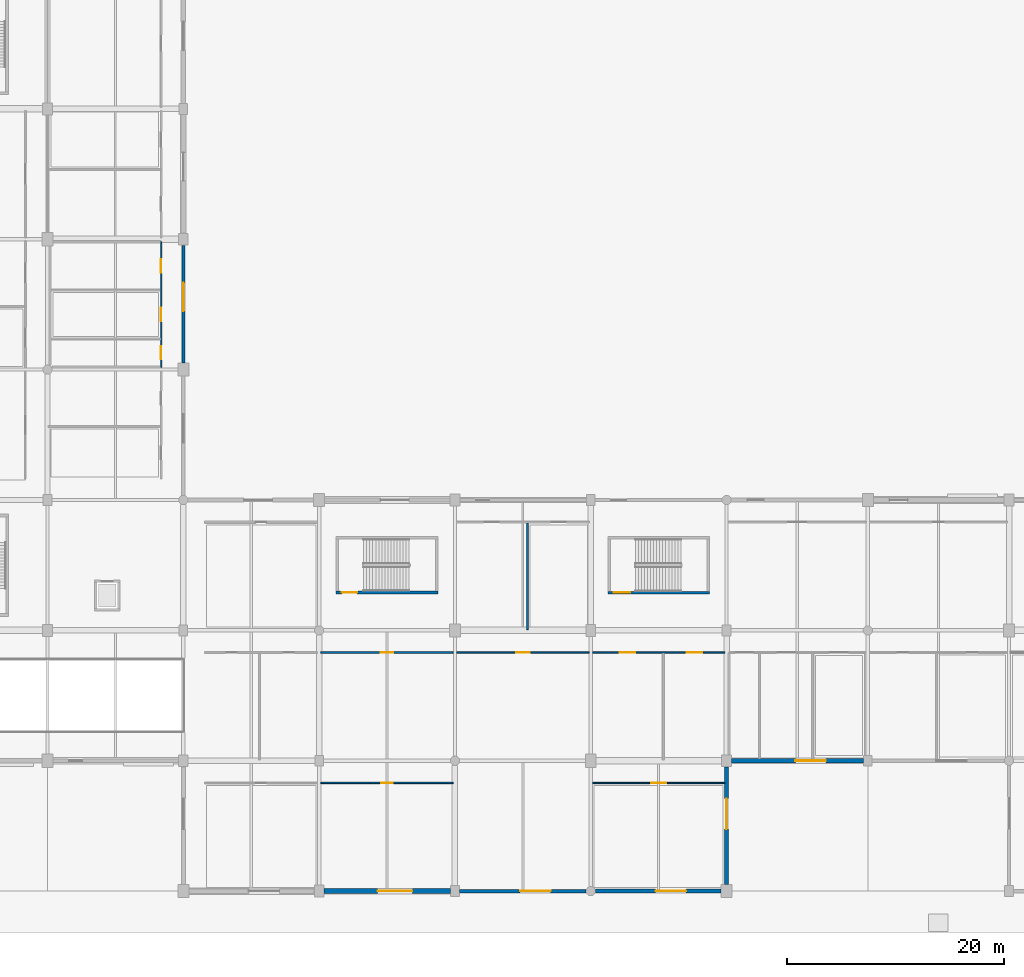
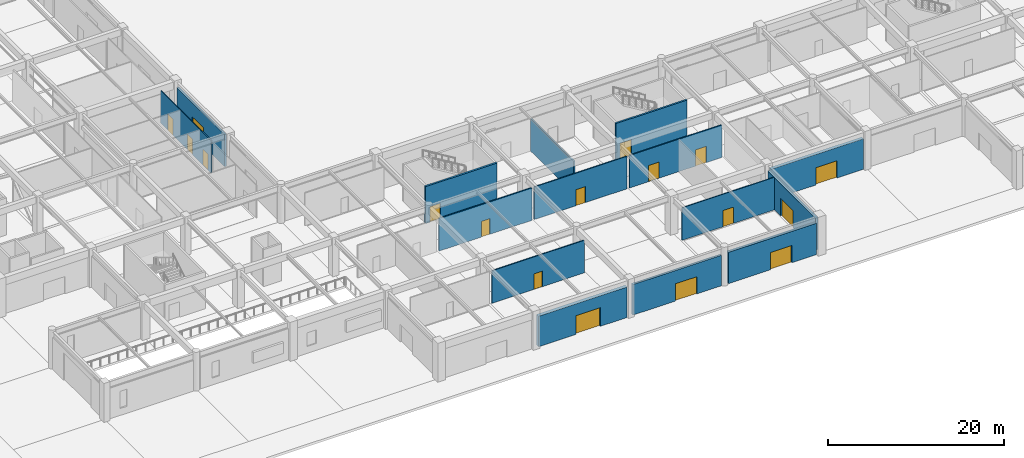
# One storey, part 16 of 69: 17 doors, 15 walls, 17 openings.
"""IFC4 building model written with IfcOpenShell, lengths in metres."""

from ifc_helpers import new_model, si_unit, direction, frame, frame_2d, origin, place, context, subcontext, project, spatial, rectangle, extrude, material, layer, layer_set, type_object, element, fill, save


model = new_model("IFC4")

# Units and contexts
model_context = context("Model", 3, precision=1e-05, world=origin(), true_north=direction((0.0, 1.0)))
body_context = subcontext(model_context, "Body", "Model", "MODEL_VIEW")
ifc_project = project(units=[si_unit("LENGTHUNIT", "METRE"), si_unit("AREAUNIT", "SQUARE_METRE"), si_unit("VOLUMEUNIT", "CUBIC_METRE"), si_unit("PLANEANGLEUNIT", "RADIAN"), si_unit("MASSUNIT", "GRAM", prefix="KILO")], contexts=[model_context])

# Site, building, storey
site_placement = place(None, origin())
site = spatial("IfcSite", under=ifc_project, at=site_placement, CompositionType="ELEMENT")
building_placement = place(site_placement, origin())
building = spatial("IfcBuilding", under=site, at=building_placement, Name="Kazenohara Klinker Stadium", CompositionType="ELEMENT")
storey_placement = place(building_placement, origin())
storey = spatial("IfcBuildingStorey", under=building, at=storey_placement, Name="L00", CompositionType="ELEMENT", Elevation=0.0)

# Wall, opening, door
ifc_material_1 = material(Name="Concrete C40/50", Category="concrete")
ifc_layer_1 = layer(ifc_material_1, 0.22998046875)
ifc_layer_set_1 = layer_set([ifc_layer_1], Name="Concrete C40/50")
wall_type_1 = type_object("IfcWallType", Name="WAL-CORE-230", PredefinedType="SHEAR", material=ifc_layer_set_1)
wall_1_placement = place(storey_placement, frame((88.070068359375, 27.485107421875, 0.0), z_axis=(0.0, 0.0, 1.0), x_axis=(1.0, 0.0, 0.0)))
wall_1 = element("IfcWall", 1, at=wall_1_placement, inside=storey, type_object=wall_type_1, Name="Stairwell shear wall ST26 L00 South", PredefinedType="SHEAR", context=body_context, shape_type="SweptSolid", body=[
    extrude(rectangle(XDim=9.35986328125, YDim=0.22998046875, at=frame_2d((4.679931640625, 0.0))), origin(), (0.0, 0.0, 1.0), 5.139892578125),
])
opening_1_placement = place(wall_1_placement, frame((0.550048828125, 0.0, 0.0)))
opening_1 = element("IfcOpeningElement", 2, at=opening_1_placement, cuts=wall_1, Name="Opening SD02", PredefinedType="OPENING", context=body_context, shape_type="SweptSolid", body=[
    extrude(rectangle(XDim=1.5, YDim=2.199951171875, at=frame_2d((0.75, 1.10009765625))), frame((0.0, 0.125, 0.0), z_axis=(0.0, -1.0, 0.0), x_axis=(1.0, 0.0, 0.0)), (0.0, 0.0, 1.0), 0.25),
])
ifc_material_2 = material(Name="Flush painted steel fire door leaf", Category="steel")
door_type_1 = type_object("IfcDoorType", Name="DR-STR-1500x2200", OperationType="NOTDEFINED", PredefinedType="DOOR", material=ifc_material_2)
door_1_placement = place(opening_1_placement, origin())
door_1 = element("IfcDoor", 3, at=door_1_placement, inside=storey, type_object=door_type_1, Name="Escape stairwell fire door ST26-L00", OperationType="SINGLE_SWING_LEFT", OverallHeight=2.199951171875, OverallWidth=1.5, PredefinedType="DOOR", context=body_context, shape_type="SweptSolid", body=[
    extrude(rectangle(XDim=1.5, YDim=2.199951171875, at=frame_2d((0.75, 1.10009765625))), frame((0.0, 0.02490234375, 0.0), z_axis=(0.0, -1.0, 0.0), x_axis=(1.0, 0.0, 0.0)), (0.0, 0.0, 1.0), 0.050048828125),
])
fill(opening_1, door_1)

ifc_layer_2 = layer(ifc_material_1, 0.25)
ifc_layer_set_2 = layer_set([ifc_layer_2], Name="Concrete C40/50")
wall_type_2 = type_object("IfcWallType", Name="WAL-CORE-250", PredefinedType="SHEAR", material=ifc_layer_set_2)
wall_2_placement = place(storey_placement, frame((63.050048828125, 27.485107421875, 0.0), z_axis=(0.0, 0.0, 1.0), x_axis=(1.0, 0.0, 0.0)))
wall_2 = element("IfcWall", 4, at=wall_2_placement, inside=storey, type_object=wall_type_2, Name="Stairwell shear wall ST25 L00 South", PredefinedType="SHEAR", context=body_context, shape_type="SweptSolid", body=[
    extrude(rectangle(XDim=9.39990234375, YDim=0.25, at=frame_2d((4.699951171875, 0.0))), origin(), (0.0, 0.0, 1.0), 5.139892578125),
])
opening_2_placement = place(wall_2_placement, frame((0.550048828125, 0.0, 0.0)))
opening_2 = element("IfcOpeningElement", 5, at=opening_2_placement, cuts=wall_2, Name="Opening SD01", PredefinedType="OPENING", context=body_context, shape_type="SweptSolid", body=[
    extrude(rectangle(XDim=1.39990234375, YDim=2.14990234375, at=frame_2d((0.699951171875, 1.074951171875))), frame((0.0, 0.135009765625, 0.0), z_axis=(0.0, -1.0, 0.0), x_axis=(1.0, 0.0, 0.0)), (0.0, 0.0, 1.0), 0.27001953125),
])
door_type_2 = type_object("IfcDoorType", Name="DR-STR-1400x2150", OperationType="NOTDEFINED", PredefinedType="DOOR", material=ifc_material_2)
door_2_placement = place(opening_2_placement, origin())
door_2 = element("IfcDoor", 6, at=door_2_placement, inside=storey, type_object=door_type_2, Name="Escape stairwell fire door ST25-L00", OperationType="SINGLE_SWING_LEFT", OverallHeight=2.14990234375, OverallWidth=1.39990234375, PredefinedType="DOOR", context=body_context, shape_type="SweptSolid", body=[
    extrude(rectangle(XDim=1.39990234375, YDim=2.14990234375, at=frame_2d((0.699951171875, 1.074951171875))), frame((0.0, 0.02490234375, 0.0), z_axis=(0.0, -1.0, 0.0), x_axis=(1.0, 0.0, 0.0)), (0.0, 0.0, 1.0), 0.050048828125),
])
fill(opening_2, door_2)

ifc_material_3 = material(Name="Clinker brick masonry", Category="masonry")
ifc_layer_3 = layer(ifc_material_3, 0.280029296875)
ifc_layer_set_3 = layer_set([ifc_layer_3], Name="Clinker brick masonry")
wall_type_3 = type_object("IfcWallType", Name="WAL-EXT-CB280", PredefinedType="SOLIDWALL", material=ifc_layer_set_3)
wall_3_placement = place(storey_placement, frame((49.0, 48.60400390625, 0.0), z_axis=(0.0, 0.0, 1.0), x_axis=(0.0, 1.0, 0.0)))
wall_3 = element("IfcWall", 7, at=wall_3_placement, inside=storey, type_object=wall_type_3, Name="Clinker brick cavity wall EW06 L00 Y4-4", PredefinedType="SOLIDWALL", context=body_context, shape_type="SweptSolid", body=[
    extrude(rectangle(XDim=10.842041015625, YDim=0.280029296875, at=frame_2d((5.4208984375, 0.0))), origin(), (0.0, 0.0, 1.0), 4.43994140625),
])
opening_3_placement = place(wall_3_placement, frame((7.37158203125, 0.0, 0.0), z_axis=(0.0, 0.0, 1.0), x_axis=(-1.0, 0.0, 0.0)))
opening_3 = element("IfcOpeningElement", 8, at=opening_3_placement, cuts=wall_3, Name="Opening VP02", PredefinedType="OPENING", context=body_context, shape_type="SweptSolid", body=[
    extrude(rectangle(XDim=2.60009765625, YDim=2.5, at=frame_2d((1.300048828125, 1.25))), frame((0.0, 0.14990234375, 0.0), z_axis=(0.0, -1.0, 0.0), x_axis=(1.0, 0.0, 0.0)), (0.0, 0.0, 1.0), 0.300048828125),
])
ifc_material_4 = material(Name="Anodised aluminium acoustic portal leaf", Category="aluminium")
door_type_3 = type_object("IfcDoorType", Name="DR-VOM-2600x2500", OperationType="NOTDEFINED", PredefinedType="DOOR", material=ifc_material_4)
door_3_placement = place(opening_3_placement, origin())
door_3 = element("IfcDoor", 9, at=door_3_placement, inside=storey, type_object=door_type_3, Name="Lower bowl vomitory portal door VP02", OperationType="DOUBLE_DOOR_SINGLE_SWING", OverallHeight=2.5, OverallWidth=2.60009765625, PredefinedType="DOOR", context=body_context, shape_type="SweptSolid", body=[
    extrude(rectangle(XDim=2.60009765625, YDim=2.5, at=frame_2d((1.300048828125, 1.25))), frame((0.0, 0.02490234375, 0.0), z_axis=(0.0, -1.0, 0.0), x_axis=(1.0, 0.0, 0.0)), (0.0, 0.0, 1.0), 0.050048828125),
])
fill(opening_3, door_3)

ifc_layer_4 = layer(ifc_material_3, 0.31005859375)
ifc_layer_set_4 = layer_set([ifc_layer_4], Name="Clinker brick masonry")
wall_type_4 = type_object("IfcWallType", Name="WAL-EXT-CB310", PredefinedType="SOLIDWALL", material=ifc_layer_set_4)
wall_4_placement = place(storey_placement, frame((74.404052734375, 0.0, 0.0), z_axis=(0.0, 0.0, 1.0), x_axis=(1.0, 0.0, 0.0)))
wall_4 = element("IfcWall", 10, at=wall_4_placement, inside=storey, type_object=wall_type_4, Name="Clinker brick cavity wall EW05 L00 X6-0", PredefinedType="SOLIDWALL", context=body_context, shape_type="SweptSolid", body=[
    extrude(rectangle(XDim=11.6669921875, YDim=0.31005859375, at=frame_2d((5.83349609375, 0.0))), origin(), (0.0, 0.0, 1.0), 4.239990234375),
])
opening_4_placement = place(wall_4_placement, frame((8.400146484375, 0.0, 0.0), z_axis=(0.0, 0.0, 1.0), x_axis=(-1.0, 0.0, 0.0)))
opening_4 = element("IfcOpeningElement", 11, at=opening_4_placement, cuts=wall_4, Name="Opening G19", PredefinedType="OPENING", context=body_context, shape_type="SweptSolid", body=[
    extrude(rectangle(XDim=2.800048828125, YDim=2.39990234375, at=frame_2d((1.39990234375, 1.199951171875))), frame((0.0, 0.1650390625, 0.0), z_axis=(0.0, -1.0, 0.0), x_axis=(1.0, 0.0, 0.0)), (0.0, 0.0, 1.0), 0.330078125),
])
ifc_material_5 = material(Name="Powder-coated aluminium and laminated safety glass", Category="aluminium")
door_type_4 = type_object("IfcDoorType", Name="DR-GATE-2800x2400", OperationType="NOTDEFINED", PredefinedType="DOOR", material=ifc_material_5)
door_4_placement = place(opening_4_placement, origin())
door_4 = element("IfcDoor", 12, at=door_4_placement, inside=storey, type_object=door_type_4, Name="Pedestrian exit gate G19", OperationType="DOUBLE_DOOR_SINGLE_SWING", OverallHeight=2.39990234375, OverallWidth=2.800048828125, PredefinedType="DOOR", context=body_context, shape_type="SweptSolid", body=[
    extrude(rectangle(XDim=2.800048828125, YDim=2.39990234375, at=frame_2d((1.39990234375, 1.199951171875))), frame((0.0, 0.02490234375, 0.0), z_axis=(0.0, -1.0, 0.0), x_axis=(1.0, 0.0, 0.0)), (0.0, 0.0, 1.0), 0.050048828125),
])
fill(opening_4, door_4)

ifc_layer_5 = layer(ifc_material_3, 0.340087890625)
ifc_layer_set_5 = layer_set([ifc_layer_5], Name="Clinker brick masonry")
wall_type_5 = type_object("IfcWallType", Name="WAL-EXT-CB340", PredefinedType="SOLIDWALL", material=ifc_layer_set_5)
wall_5_placement = place(storey_placement, frame((99.0, 0.60400390625, 0.0), z_axis=(0.0, 0.0, 1.0), x_axis=(0.0, 1.0, 0.0)))
wall_5 = element("IfcWall", 13, at=wall_5_placement, inside=storey, type_object=wall_type_5, Name="Clinker brick cavity wall EW04 L00 Y8-0", PredefinedType="SOLIDWALL", context=body_context, shape_type="SweptSolid", body=[
    extrude(rectangle(XDim=10.842041015625, YDim=0.340087890625, at=frame_2d((5.4208984375, 0.0))), origin(), (0.0, 0.0, 1.0), 4.43994140625),
])
opening_5_placement = place(wall_5_placement, frame((7.9052734375, 0.0, 0.0), z_axis=(0.0, 0.0, 1.0), x_axis=(-1.0, 0.0, 0.0)))
opening_5 = element("IfcOpeningElement", 14, at=opening_5_placement, cuts=wall_5, Name="Opening G22", PredefinedType="OPENING", context=body_context, shape_type="SweptSolid", body=[
    extrude(rectangle(XDim=2.800048828125, YDim=2.39990234375, at=frame_2d((1.39990234375, 1.199951171875))), frame((0.0, 0.18017578125, 0.0), z_axis=(0.0, -1.0, 0.0), x_axis=(1.0, 0.0, 0.0)), (0.0, 0.0, 1.0), 0.360107421875),
])
door_5_placement = place(opening_5_placement, origin())
door_5 = element("IfcDoor", 15, at=door_5_placement, inside=storey, type_object=door_type_4, Name="Pedestrian exit gate G22", OperationType="DOUBLE_DOOR_SINGLE_SWING", OverallHeight=2.39990234375, OverallWidth=2.800048828125, PredefinedType="DOOR", context=body_context, shape_type="SweptSolid", body=[
    extrude(rectangle(XDim=2.800048828125, YDim=2.39990234375, at=frame_2d((1.39990234375, 1.199951171875))), frame((0.0, 0.02490234375, 0.0), z_axis=(0.0, -1.0, 0.0), x_axis=(1.0, 0.0, 0.0)), (0.0, 0.0, 1.0), 0.050048828125),
])
fill(opening_5, door_5)

ifc_layer_6 = layer(ifc_material_3, 0.3701171875)
ifc_layer_set_6 = layer_set([ifc_layer_6], Name="Clinker brick masonry")
wall_type_6 = type_object("IfcWallType", Name="WAL-EXT-CB370", PredefinedType="SOLIDWALL", material=ifc_layer_set_6)
wall_6_placement = place(storey_placement, frame((86.928955078125, 0.0, 0.0), z_axis=(0.0, 0.0, 1.0), x_axis=(1.0, 0.0, 0.0)))
wall_6 = element("IfcWall", 16, at=wall_6_placement, inside=storey, type_object=wall_type_6, Name="Clinker brick cavity wall EW03 L00 X7-0", PredefinedType="SOLIDWALL", context=body_context, shape_type="SweptSolid", body=[
    extrude(rectangle(XDim=11.567138671875, YDim=0.3701171875, at=frame_2d((5.78369140625, 0.0))), origin(), (0.0, 0.0, 1.0), 4.340087890625),
])
opening_6_placement = place(wall_6_placement, frame((8.34033203125, 0.0, 0.0), z_axis=(0.0, 0.0, 1.0), x_axis=(-1.0, 0.0, 0.0)))
opening_6 = element("IfcOpeningElement", 17, at=opening_6_placement, cuts=wall_6, Name="Opening G21", PredefinedType="OPENING", context=body_context, shape_type="SweptSolid", body=[
    extrude(rectangle(XDim=2.800048828125, YDim=2.39990234375, at=frame_2d((1.39990234375, 1.199951171875))), frame((0.0, 0.195068359375, 0.0), z_axis=(0.0, -1.0, 0.0), x_axis=(1.0, 0.0, 0.0)), (0.0, 0.0, 1.0), 0.39013671875),
])
door_6_placement = place(opening_6_placement, origin())
door_6 = element("IfcDoor", 18, at=door_6_placement, inside=storey, type_object=door_type_4, Name="Pedestrian exit gate G21", OperationType="DOUBLE_DOOR_SINGLE_SWING", OverallHeight=2.39990234375, OverallWidth=2.800048828125, PredefinedType="DOOR", context=body_context, shape_type="SweptSolid", body=[
    extrude(rectangle(XDim=2.800048828125, YDim=2.39990234375, at=frame_2d((1.39990234375, 1.199951171875))), frame((0.0, 0.02490234375, 0.0), z_axis=(0.0, -1.0, 0.0), x_axis=(1.0, 0.0, 0.0)), (0.0, 0.0, 1.0), 0.050048828125),
])
fill(opening_6, door_6)

ifc_layer_7 = layer(ifc_material_3, 0.409912109375)
ifc_layer_set_7 = layer_set([ifc_layer_7], Name="Clinker brick masonry")
wall_type_7 = type_object("IfcWallType", Name="WAL-EXT-CB410", PredefinedType="SOLIDWALL", material=ifc_layer_set_7)
wall_7_placement = place(storey_placement, frame((99.4541015625, 12.0, 0.0), z_axis=(0.0, 0.0, 1.0), x_axis=(1.0, 0.0, 0.0)))
wall_7 = element("IfcWall", 19, at=wall_7_placement, inside=storey, type_object=wall_type_7, Name="Clinker brick cavity wall EW02 L00 X8-1", PredefinedType="SOLIDWALL", context=body_context, shape_type="SweptSolid", body=[
    extrude(rectangle(XDim=12.141845703125, YDim=0.409912109375, at=frame_2d((6.07080078125, 0.0))), origin(), (0.0, 0.0, 1.0), 4.239990234375),
])
opening_7_placement = place(wall_7_placement, frame((8.685302734375, 0.0, 0.0), z_axis=(0.0, 0.0, 1.0), x_axis=(-1.0, 0.0, 0.0)))
opening_7 = element("IfcOpeningElement", 20, at=opening_7_placement, cuts=wall_7, Name="Opening G23", PredefinedType="OPENING", context=body_context, shape_type="SweptSolid", body=[
    extrude(rectangle(XDim=2.800048828125, YDim=2.39990234375, at=frame_2d((1.39990234375, 1.199951171875))), frame((0.0, 0.21484375, 0.0), z_axis=(0.0, -1.0, 0.0), x_axis=(1.0, 0.0, 0.0)), (0.0, 0.0, 1.0), 0.429931640625),
])
door_7_placement = place(opening_7_placement, origin())
door_7 = element("IfcDoor", 21, at=door_7_placement, inside=storey, type_object=door_type_4, Name="Pedestrian exit gate G23", OperationType="DOUBLE_DOOR_SINGLE_SWING", OverallHeight=2.39990234375, OverallWidth=2.800048828125, PredefinedType="DOOR", context=body_context, shape_type="SweptSolid", body=[
    extrude(rectangle(XDim=2.800048828125, YDim=2.39990234375, at=frame_2d((1.39990234375, 1.199951171875))), frame((0.0, 0.02490234375, 0.0), z_axis=(0.0, -1.0, 0.0), x_axis=(1.0, 0.0, 0.0)), (0.0, 0.0, 1.0), 0.050048828125),
])
fill(opening_7, door_7)

ifc_layer_8 = layer(ifc_material_3, 0.449951171875)
ifc_layer_set_8 = layer_set([ifc_layer_8], Name="Clinker brick masonry")
wall_type_8 = type_object("IfcWallType", Name="WAL-EXT-CB450", PredefinedType="SOLIDWALL", material=ifc_layer_set_8)
wall_8_placement = place(storey_placement, frame((61.9541015625, 0.0, 0.0), z_axis=(0.0, 0.0, 1.0), x_axis=(1.0, 0.0, 0.0)))
wall_8 = element("IfcWall", 22, at=wall_8_placement, inside=storey, type_object=wall_type_8, Name="Clinker brick cavity wall EW01 L00 X5-0", PredefinedType="SOLIDWALL", context=body_context, shape_type="SweptSolid", body=[
    extrude(rectangle(XDim=11.641845703125, YDim=0.449951171875, at=frame_2d((5.82080078125, 0.0))), origin(), (0.0, 0.0, 1.0), 4.239990234375),
])
opening_8_placement = place(wall_8_placement, frame((8.119384765625, 0.0, 0.0), z_axis=(0.0, 0.0, 1.0), x_axis=(-1.0, 0.0, 0.0)))
opening_8 = element("IfcOpeningElement", 23, at=opening_8_placement, cuts=wall_8, Name="Opening E04", PredefinedType="OPENING", context=body_context, shape_type="SweptSolid", body=[
    extrude(rectangle(XDim=3.199951171875, YDim=2.60009765625, at=frame_2d((1.60009765625, 1.300048828125))), frame((0.0, 0.23486328125, 0.0), z_axis=(0.0, -1.0, 0.0), x_axis=(1.0, 0.0, 0.0)), (0.0, 0.0, 1.0), 0.469970703125),
])
ifc_material_6 = material(Name="Bronze-anodised aluminium and tempered glass", Category="aluminium")
door_type_5 = type_object("IfcDoorType", Name="DR-ENT-3200x2600", OperationType="NOTDEFINED", PredefinedType="DOOR", material=ifc_material_6)
door_8_placement = place(opening_8_placement, origin())
door_8 = element("IfcDoor", 24, at=door_8_placement, inside=storey, type_object=door_type_5, Name="Main spectator entrance E04", OperationType="DOUBLE_DOOR_SINGLE_SWING", OverallHeight=2.60009765625, OverallWidth=3.199951171875, PredefinedType="DOOR", context=body_context, shape_type="SweptSolid", body=[
    extrude(rectangle(XDim=3.199951171875, YDim=2.60009765625, at=frame_2d((1.60009765625, 1.300048828125))), frame((0.0, 0.02490234375, 0.0), z_axis=(0.0, -1.0, 0.0), x_axis=(1.0, 0.0, 0.0)), (0.0, 0.0, 1.0), 0.050048828125),
])
fill(opening_8, door_8)

# Wall, openings, doors
ifc_material_7 = material(Name="Fire-rated gypsum board on acoustic studs", Category="gypsum")
ifc_layer_9 = layer(ifc_material_7, 0.110107421875)
ifc_layer_set_9 = layer_set([ifc_layer_9], Name="Fire-rated gypsum board on acoustic studs")
wall_type_9 = type_object("IfcWallType", Name="WAL-INT-P110", PredefinedType="PARTITIONING", material=ifc_layer_set_9)
wall_9_placement = place(storey_placement, frame((46.9599609375, 48.239990234375, 0.0), z_axis=(0.0, 0.0, 1.0), x_axis=(0.0, 1.0, 0.0)))
wall_9 = element("IfcWall", 25, at=wall_9_placement, inside=storey, type_object=wall_type_9, Name="Interior partition wall PT01 SPC-L00-03-04-1-4", PredefinedType="PARTITIONING", context=body_context, shape_type="SweptSolid", body=[
    extrude(rectangle(XDim=11.52001953125, YDim=0.110107421875, at=frame_2d((5.760009765625, 0.0))), origin(), (0.0, 0.0, 1.0), 4.52001953125),
])
opening_9_placement = place(wall_9_placement, frame((0.715087890625, 0.0, 0.0)))
opening_9 = element("IfcOpeningElement", 26, at=opening_9_placement, cuts=wall_9, Name="Opening ID11", PredefinedType="OPENING", context=body_context, shape_type="SweptSolid", body=[
    extrude(rectangle(XDim=1.179931640625, YDim=2.199951171875, at=frame_2d((0.58984375, 1.10009765625))), frame((0.0, 0.06494140625, 0.0), z_axis=(0.0, -1.0, 0.0), x_axis=(1.0, 0.0, 0.0)), (0.0, 0.0, 1.0), 0.130126953125),
])
opening_10_placement = place(wall_9_placement, frame((4.23291015625, 0.0, 0.0)))
opening_10 = element("IfcOpeningElement", 27, at=opening_10_placement, cuts=wall_9, Name="Opening ID12", PredefinedType="OPENING", context=body_context, shape_type="SweptSolid", body=[
    extrude(rectangle(XDim=1.2099609375, YDim=2.179931640625, at=frame_2d((0.60498046875, 1.08984375))), frame((0.0, 0.06494140625, 0.0), z_axis=(0.0, -1.0, 0.0), x_axis=(1.0, 0.0, 0.0)), (0.0, 0.0, 1.0), 0.130126953125),
])
opening_11_placement = place(wall_9_placement, frame((8.672607421875, 0.0, 0.0)))
opening_11 = element("IfcOpeningElement", 28, at=opening_11_placement, cuts=wall_9, Name="Opening ID13", PredefinedType="OPENING", context=body_context, shape_type="SweptSolid", body=[
    extrude(rectangle(XDim=1.239990234375, YDim=2.219970703125, at=frame_2d((0.6201171875, 1.10986328125))), frame((0.0, 0.06494140625, 0.0), z_axis=(0.0, -1.0, 0.0), x_axis=(1.0, 0.0, 0.0)), (0.0, 0.0, 1.0), 0.130126953125),
])
ifc_material_8 = material(Name="Solid-core Hokkaido oak fire door", Category="wood")
door_type_6 = type_object("IfcDoorType", Name="DR-INT-11", OperationType="NOTDEFINED", PredefinedType="DOOR", material=ifc_material_8)
door_9_placement = place(opening_9_placement, origin())
door_9 = element("IfcDoor", 29, at=door_9_placement, inside=storey, type_object=door_type_6, Name="Interior door ID11 Accessible Water Closet Restroom L00-0304A", OperationType="SINGLE_SWING_RIGHT", OverallHeight=2.199951171875, OverallWidth=1.179931640625, PredefinedType="DOOR", context=body_context, shape_type="SweptSolid", body=[
    extrude(rectangle(XDim=1.179931640625, YDim=2.199951171875, at=frame_2d((0.58984375, 1.10009765625))), frame((0.0, 0.02490234375, 0.0), z_axis=(0.0, -1.0, 0.0), x_axis=(1.0, 0.0, 0.0)), (0.0, 0.0, 1.0), 0.050048828125),
])
fill(opening_9, door_9)
door_type_7 = type_object("IfcDoorType", Name="DR-INT-12", OperationType="NOTDEFINED", PredefinedType="DOOR", material=ifc_material_8)
door_10_placement = place(opening_10_placement, origin())
door_10 = element("IfcDoor", 30, at=door_10_placement, inside=storey, type_object=door_type_7, Name="Interior door ID12 Water Closet Restroom Male L00-0304B", OperationType="SINGLE_SWING_LEFT", OverallHeight=2.179931640625, OverallWidth=1.2099609375, PredefinedType="DOOR", context=body_context, shape_type="SweptSolid", body=[
    extrude(rectangle(XDim=1.2099609375, YDim=2.179931640625, at=frame_2d((0.60498046875, 1.08984375))), frame((0.0, 0.02490234375, 0.0), z_axis=(0.0, -1.0, 0.0), x_axis=(1.0, 0.0, 0.0)), (0.0, 0.0, 1.0), 0.050048828125),
])
fill(opening_10, door_10)
door_type_8 = type_object("IfcDoorType", Name="DR-INT-13", OperationType="NOTDEFINED", PredefinedType="DOOR", material=ifc_material_8)
door_11_placement = place(opening_11_placement, origin())
door_11 = element("IfcDoor", 31, at=door_11_placement, inside=storey, type_object=door_type_8, Name="Interior door ID13 Water Closet Restroom Female L00-0304C", OperationType="SINGLE_SWING_RIGHT", OverallHeight=2.219970703125, OverallWidth=1.239990234375, PredefinedType="DOOR", context=body_context, shape_type="SweptSolid", body=[
    extrude(rectangle(XDim=1.239990234375, YDim=2.219970703125, at=frame_2d((0.6201171875, 1.10986328125))), frame((0.0, 0.02490234375, 0.0), z_axis=(0.0, -1.0, 0.0), x_axis=(1.0, 0.0, 0.0)), (0.0, 0.0, 1.0), 0.050048828125),
])
fill(opening_11, door_11)

# Wall, opening, door
ifc_layer_10 = layer(ifc_material_7, 0.1201171875)
ifc_layer_set_10 = layer_set([ifc_layer_10], Name="Fire-rated gypsum board on acoustic studs")
wall_type_10 = type_object("IfcWallType", Name="WAL-INT-P120", PredefinedType="PARTITIONING", material=ifc_layer_set_10)
wall_10_placement = place(storey_placement, frame((86.659912109375, 9.9599609375, 0.0), z_axis=(0.0, 0.0, 1.0), x_axis=(1.0, 0.0, 0.0)))
wall_10 = element("IfcWall", 32, at=wall_10_placement, inside=storey, type_object=wall_type_10, Name="Interior partition wall PT02 SPC-L00-07-00-1-1", PredefinedType="PARTITIONING", context=body_context, shape_type="SweptSolid", body=[
    extrude(rectangle(XDim=12.16796875, YDim=0.1201171875, at=frame_2d((6.083984375, 0.0))), origin(), (0.0, 0.0, 1.0), 4.52001953125),
])
opening_12_placement = place(wall_10_placement, frame((6.77001953125, 0.0, 0.0), z_axis=(0.0, 0.0, 1.0), x_axis=(-1.0, 0.0, 0.0)))
opening_12 = element("IfcOpeningElement", 33, at=opening_12_placement, cuts=wall_10, Name="Opening ID17", PredefinedType="OPENING", context=body_context, shape_type="SweptSolid", body=[
    extrude(rectangle(XDim=1.360107421875, YDim=2.25, at=frame_2d((0.68017578125, 1.125))), frame((0.0, 0.070068359375, 0.0), z_axis=(0.0, -1.0, 0.0), x_axis=(1.0, 0.0, 0.0)), (0.0, 0.0, 1.0), 0.14013671875),
])
door_type_9 = type_object("IfcDoorType", Name="DR-INT-17", OperationType="NOTDEFINED", PredefinedType="DOOR", material=ifc_material_8)
door_12_placement = place(opening_12_placement, origin())
door_12 = element("IfcDoor", 34, at=door_12_placement, inside=storey, type_object=door_type_9, Name="Interior door ID17 Spectator First-Aid Medical Clinic L00-0700A", OperationType="SINGLE_SWING_RIGHT", OverallHeight=2.25, OverallWidth=1.360107421875, PredefinedType="DOOR", context=body_context, shape_type="SweptSolid", body=[
    extrude(rectangle(XDim=1.360107421875, YDim=2.25, at=frame_2d((0.68017578125, 1.125))), frame((0.0, 0.02490234375, 0.0), z_axis=(0.0, -1.0, 0.0), x_axis=(1.0, 0.0, 0.0)), (0.0, 0.0, 1.0), 0.050048828125),
])
fill(opening_12, door_12)

ifc_layer_11 = layer(ifc_material_7, 0.139892578125)
ifc_layer_set_11 = layer_set([ifc_layer_11], Name="Fire-rated gypsum board on acoustic studs")
wall_type_11 = type_object("IfcWallType", Name="WAL-INT-P140", PredefinedType="PARTITIONING", material=ifc_layer_set_11)
wall_11_placement = place(storey_placement, frame((61.659912109375, 9.9599609375, 0.0), z_axis=(0.0, 0.0, 1.0), x_axis=(1.0, 0.0, 0.0)))
wall_11 = element("IfcWall", 35, at=wall_11_placement, inside=storey, type_object=wall_type_11, Name="Interior partition wall PT03 SPC-L00-05-00-1-1", PredefinedType="PARTITIONING", context=body_context, shape_type="SweptSolid", body=[
    extrude(rectangle(XDim=12.18017578125, YDim=0.139892578125, at=frame_2d((6.090087890625, 0.0))), origin(), (0.0, 0.0, 1.0), 4.52001953125),
])
opening_13_placement = place(wall_11_placement, frame((6.635009765625, 0.0, 0.0), z_axis=(0.0, 0.0, 1.0), x_axis=(-1.0, 0.0, 0.0)))
opening_13 = element("IfcOpeningElement", 36, at=opening_13_placement, cuts=wall_11, Name="Opening ID08", PredefinedType="OPENING", context=body_context, shape_type="SweptSolid", body=[
    extrude(rectangle(XDim=1.090087890625, YDim=2.159912109375, at=frame_2d((0.544921875, 1.080078125))), frame((0.0, 0.080078125, 0.0), z_axis=(0.0, -1.0, 0.0), x_axis=(1.0, 0.0, 0.0)), (0.0, 0.0, 1.0), 0.159912109375),
])
door_type_10 = type_object("IfcDoorType", Name="DR-INT-08", OperationType="NOTDEFINED", PredefinedType="DOOR", material=ifc_material_8)
door_13_placement = place(opening_13_placement, origin())
door_13 = element("IfcDoor", 37, at=door_13_placement, inside=storey, type_object=door_type_10, Name="Interior door ID08 Spectator First-Aid Medical Clinic L00-0500A", OperationType="SINGLE_SWING_LEFT", OverallHeight=2.159912109375, OverallWidth=1.090087890625, PredefinedType="DOOR", context=body_context, shape_type="SweptSolid", body=[
    extrude(rectangle(XDim=1.090087890625, YDim=2.159912109375, at=frame_2d((0.544921875, 1.080078125))), frame((0.0, 0.02490234375, 0.0), z_axis=(0.0, -1.0, 0.0), x_axis=(1.0, 0.0, 0.0)), (0.0, 0.0, 1.0), 0.050048828125),
])
fill(opening_13, door_13)

wall_12_placement = place(storey_placement, frame((74.159912109375, 21.9599609375, 0.0), z_axis=(0.0, 0.0, 1.0), x_axis=(1.0, 0.0, 0.0)))
wall_12 = element("IfcWall", 38, at=wall_12_placement, inside=storey, type_object=wall_type_11, Name="Interior partition wall PT03 SPC-L00-06-01-1-1", PredefinedType="PARTITIONING", context=body_context, shape_type="SweptSolid", body=[
    extrude(rectangle(XDim=12.18017578125, YDim=0.139892578125, at=frame_2d((6.090087890625, 0.0))), origin(), (0.0, 0.0, 1.0), 4.52001953125),
])
opening_14_placement = place(wall_12_placement, frame((6.7099609375, 0.0, 0.0), z_axis=(0.0, 0.0, 1.0), x_axis=(-1.0, 0.0, 0.0)))
opening_14 = element("IfcOpeningElement", 39, at=opening_14_placement, cuts=wall_12, Name="Opening ID13", PredefinedType="OPENING", context=body_context, shape_type="SweptSolid", body=[
    extrude(rectangle(XDim=1.239990234375, YDim=2.219970703125, at=frame_2d((0.6201171875, 1.10986328125))), frame((0.0, 0.080078125, 0.0), z_axis=(0.0, -1.0, 0.0), x_axis=(1.0, 0.0, 0.0)), (0.0, 0.0, 1.0), 0.159912109375),
])
door_14_placement = place(opening_14_placement, origin())
door_14 = element("IfcDoor", 40, at=door_14_placement, inside=storey, type_object=door_type_8, Name="Interior door ID13 Supporter Merchandising Retail Shop L00-0601A", OperationType="SINGLE_SWING_RIGHT", OverallHeight=2.219970703125, OverallWidth=1.239990234375, PredefinedType="DOOR", context=body_context, shape_type="SweptSolid", body=[
    extrude(rectangle(XDim=1.239990234375, YDim=2.219970703125, at=frame_2d((0.6201171875, 1.10986328125))), frame((0.0, 0.02490234375, 0.0), z_axis=(0.0, -1.0, 0.0), x_axis=(1.0, 0.0, 0.0)), (0.0, 0.0, 1.0), 0.050048828125),
])
fill(opening_14, door_14)

# Wall, openings, doors
wall_13_placement = place(storey_placement, frame((86.659912109375, 21.9599609375, 0.0), z_axis=(0.0, 0.0, 1.0), x_axis=(1.0, 0.0, 0.0)))
wall_13 = element("IfcWall", 41, at=wall_13_placement, inside=storey, type_object=wall_type_11, Name="Interior partition wall PT03 SPC-L00-07-01-1-1", PredefinedType="PARTITIONING", context=body_context, shape_type="SweptSolid", body=[
    extrude(rectangle(XDim=12.18017578125, YDim=0.139892578125, at=frame_2d((6.090087890625, 0.0))), origin(), (0.0, 0.0, 1.0), 4.52001953125),
])
opening_15_placement = place(wall_13_placement, frame((3.918212890625, 0.0, 0.0), z_axis=(0.0, 0.0, 1.0), x_axis=(-1.0, 0.0, 0.0)))
opening_15 = element("IfcOpeningElement", 42, at=opening_15_placement, cuts=wall_13, Name="Opening ID18", PredefinedType="OPENING", context=body_context, shape_type="SweptSolid", body=[
    extrude(rectangle(XDim=1.39990234375, YDim=2.239990234375, at=frame_2d((0.699951171875, 1.1201171875))), frame((0.0, 0.080078125, 0.0), z_axis=(0.0, -1.0, 0.0), x_axis=(1.0, 0.0, 0.0)), (0.0, 0.0, 1.0), 0.159912109375),
])
opening_16_placement = place(wall_13_placement, frame((10.108154296875, 0.0, 0.0), z_axis=(0.0, 0.0, 1.0), x_axis=(-1.0, 0.0, 0.0)))
opening_16 = element("IfcOpeningElement", 43, at=opening_16_placement, cuts=wall_13, Name="Opening ID19", PredefinedType="OPENING", context=body_context, shape_type="SweptSolid", body=[
    extrude(rectangle(XDim=1.43994140625, YDim=2.260009765625, at=frame_2d((0.719970703125, 1.1298828125))), frame((0.0, 0.080078125, 0.0), z_axis=(0.0, -1.0, 0.0), x_axis=(1.0, 0.0, 0.0)), (0.0, 0.0, 1.0), 0.159912109375),
])
door_type_11 = type_object("IfcDoorType", Name="DR-INT-18", OperationType="NOTDEFINED", PredefinedType="DOOR", material=ifc_material_8)
door_15_placement = place(opening_15_placement, origin())
door_15 = element("IfcDoor", 44, at=door_15_placement, inside=storey, type_object=door_type_11, Name="Interior door ID18 Civic Stadium Heritage Museum Exhibition Gallery L00-0701A", OperationType="SINGLE_SWING_LEFT", OverallHeight=2.239990234375, OverallWidth=1.39990234375, PredefinedType="DOOR", context=body_context, shape_type="SweptSolid", body=[
    extrude(rectangle(XDim=1.39990234375, YDim=2.239990234375, at=frame_2d((0.699951171875, 1.1201171875))), frame((0.0, 0.02490234375, 0.0), z_axis=(0.0, -1.0, 0.0), x_axis=(1.0, 0.0, 0.0)), (0.0, 0.0, 1.0), 0.050048828125),
])
fill(opening_15, door_15)
ifc_material_9 = material(Name="Painted steel plant fire door", Category="steel")
door_type_12 = type_object("IfcDoorType", Name="DR-INT-19", OperationType="NOTDEFINED", PredefinedType="DOOR", material=ifc_material_9)
door_16_placement = place(opening_16_placement, origin())
door_16 = element("IfcDoor", 45, at=door_16_placement, inside=storey, type_object=door_type_12, Name="Interior door ID19 Street-Front Bakery and Cafe Restaurant L00-0701B", OperationType="SINGLE_SWING_RIGHT", OverallHeight=2.260009765625, OverallWidth=1.43994140625, PredefinedType="DOOR", context=body_context, shape_type="SweptSolid", body=[
    extrude(rectangle(XDim=1.43994140625, YDim=2.260009765625, at=frame_2d((0.719970703125, 1.1298828125))), frame((0.0, 0.02490234375, 0.0), z_axis=(0.0, -1.0, 0.0), x_axis=(1.0, 0.0, 0.0)), (0.0, 0.0, 1.0), 0.050048828125),
])
fill(opening_16, door_16)

# Wall, opening, door
ifc_layer_12 = layer(ifc_material_7, 0.14990234375)
ifc_layer_set_12 = layer_set([ifc_layer_12], Name="Fire-rated gypsum board on acoustic studs")
wall_type_12 = type_object("IfcWallType", Name="WAL-INT-P150", PredefinedType="PARTITIONING", material=ifc_layer_set_12)
wall_14_placement = place(storey_placement, frame((61.659912109375, 21.9599609375, 0.0), z_axis=(0.0, 0.0, 1.0), x_axis=(1.0, 0.0, 0.0)))
wall_14 = element("IfcWall", 46, at=wall_14_placement, inside=storey, type_object=wall_type_12, Name="Interior partition wall PT04 SPC-L00-05-01-1-1", PredefinedType="PARTITIONING", context=body_context, shape_type="SweptSolid", body=[
    extrude(rectangle(XDim=12.18017578125, YDim=0.14990234375, at=frame_2d((6.090087890625, 0.0))), origin(), (0.0, 0.0, 1.0), 4.52001953125),
])
opening_17_placement = place(wall_14_placement, frame((6.650146484375, 0.0, 0.0), z_axis=(0.0, 0.0, 1.0), x_axis=(-1.0, 0.0, 0.0)))
opening_17 = element("IfcOpeningElement", 47, at=opening_17_placement, cuts=wall_14, Name="Opening ID09", PredefinedType="OPENING", context=body_context, shape_type="SweptSolid", body=[
    extrude(rectangle(XDim=1.1201171875, YDim=2.179931640625, at=frame_2d((0.56005859375, 1.08984375))), frame((0.0, 0.0849609375, 0.0), z_axis=(0.0, -1.0, 0.0), x_axis=(1.0, 0.0, 0.0)), (0.0, 0.0, 1.0), 0.169921875),
])
door_type_13 = type_object("IfcDoorType", Name="DR-INT-09", OperationType="NOTDEFINED", PredefinedType="DOOR", material=ifc_material_8)
door_17_placement = place(opening_17_placement, origin())
door_17 = element("IfcDoor", 48, at=door_17_placement, inside=storey, type_object=door_type_13, Name="Interior door ID09 Civic Stadium Heritage Museum Exhibition Gallery L00-0501A", OperationType="SINGLE_SWING_RIGHT", OverallHeight=2.179931640625, OverallWidth=1.1201171875, PredefinedType="DOOR", context=body_context, shape_type="SweptSolid", body=[
    extrude(rectangle(XDim=1.1201171875, YDim=2.179931640625, at=frame_2d((0.56005859375, 1.08984375))), frame((0.0, 0.02490234375, 0.0), z_axis=(0.0, -1.0, 0.0), x_axis=(1.0, 0.0, 0.0)), (0.0, 0.0, 1.0), 0.050048828125),
])
fill(opening_17, door_17)

# Wall
ifc_layer_13 = layer(ifc_material_7, 0.169921875)
ifc_layer_set_13 = layer_set([ifc_layer_13], Name="Fire-rated gypsum board on acoustic studs")
wall_type_13 = type_object("IfcWallType", Name="WAL-INT-P170", PredefinedType="PARTITIONING", material=ifc_layer_set_13)
wall_15_placement = place(storey_placement, frame((80.67626953125, 24.080078125, 0.0), z_axis=(0.0, 0.0, 1.0), x_axis=(0.0, 1.0, 0.0)))
element("IfcWall", 49, at=wall_15_placement, inside=storey, type_object=wall_type_13, Name="Interior partition wall PT05 SPC-L00-06-02-1-2", PredefinedType="PARTITIONING", context=body_context, shape_type="SweptSolid", body=[
    extrude(rectangle(XDim=9.7998046875, YDim=0.169921875, at=frame_2d((4.89990234375, 0.0))), origin(), (0.0, 0.0, 1.0), 4.52001953125),
])

save(model, "model.ifc")
